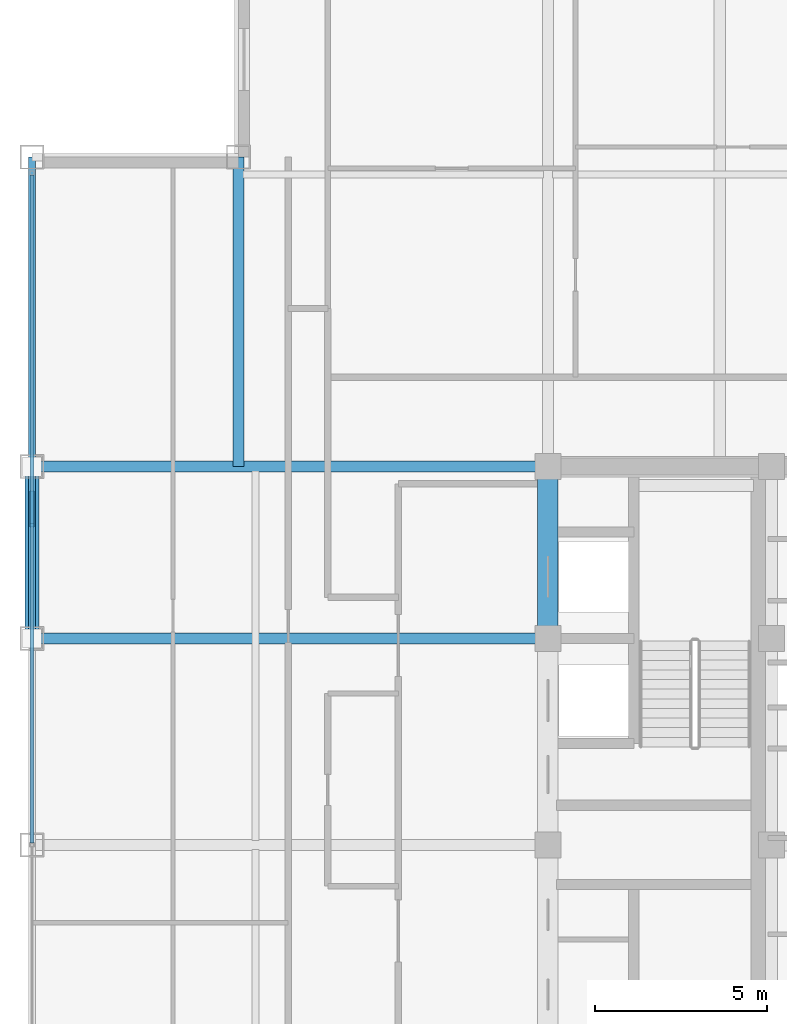
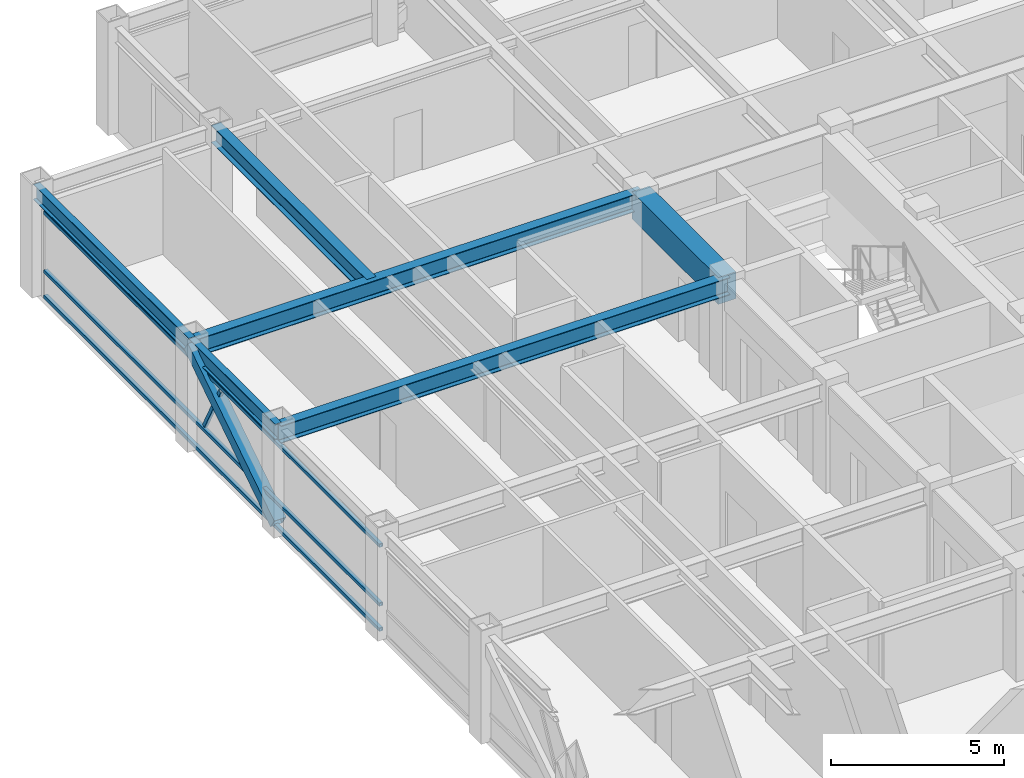
# One storey, part 13 of 29: 6 beams, 5 members, 1 element without a shape of its own.
"""IFC4 building model written with IfcOpenShell, lengths in metres."""

from ifc_helpers import new_model, si_unit, direction, frame, origin, origin_2d, place, context, subcontext, project, spatial, rectangle, hollow_rectangle, i_section, extrude, source, transform, mapped, material, material_profile, profile_set, type_object, element, aggregate, save


model = new_model("IFC4")

# Units and contexts
model_context = context("Model", 3, precision=1e-05, world=origin(), true_north=direction((0.0, 1.0)))
body_context = subcontext(model_context, "Body", "Model", "MODEL_VIEW")
ifc_project = project(units=[si_unit("LENGTHUNIT", "METRE"), si_unit("AREAUNIT", "SQUARE_METRE"), si_unit("VOLUMEUNIT", "CUBIC_METRE"), si_unit("PLANEANGLEUNIT", "RADIAN"), si_unit("MASSUNIT", "GRAM", prefix="KILO")], contexts=[model_context])

# Site, building, storey
site_placement = place(None, origin())
site = spatial("IfcSite", under=ifc_project, at=site_placement, CompositionType="ELEMENT")
building_placement = place(site_placement, origin())
building = spatial("IfcBuilding", under=site, at=building_placement, Name="Khorayat Bourse Tower", CompositionType="ELEMENT")
storey_placement = place(building_placement, frame((0.0, 0.0, 362.300048828125)))
storey = spatial("IfcBuildingStorey", under=building, at=storey_placement, Name="L86", CompositionType="ELEMENT", Elevation=362.300048828125)

# Beams
ifc_material_1 = material(Name="Concrete C60/75", Category="concrete")
ifc_material_profile_1 = material_profile(ifc_material_1, rectangle(XDim=0.60009765625, YDim=0.949951171875, at=origin_2d()), Name="RC 600x950")
ifc_profile_set_1 = profile_set([ifc_material_profile_1], Name="Concrete C60/75")
beam_type_1 = type_object("IfcBeamType", Name="BM-COUP-950", PredefinedType="BEAM", material=ifc_profile_set_1)
shared_shape_1 = source(origin(), body_context, "Body", "SweptSolid", [
    extrude(rectangle(XDim=0.60009765625, YDim=0.949951171875, at=origin_2d()), origin(), (0.0, 0.0, 1.0), 5.0),
])
beam_1_placement = place(storey_placement, frame((-11.0, 6.0, 3.264892578125), z_axis=(0.0, 1.0, 0.0), x_axis=(-1.0, 0.0, 0.0)))
element("IfcBeam", 1, at=beam_1_placement, inside=storey, type_object=beam_type_1, Name="L86 BM-COUP-950 BM-L86-CRX-04", PredefinedType="BEAM", context=body_context, shape_type="MappedRepresentation", body=[
    mapped(shared_shape_1, transform((0.0, 0.0, 0.0), scale=1.0)),
])
ifc_material_2 = material(Name="Steel ASTM A992 Grade 50", Category="steel")
ifc_material_profile_2 = material_profile(ifc_material_2, i_section(OverallWidth=0.214111328125, OverallDepth=0.549072265625, WebThickness=0.0146484375, FlangeThickness=0.023681640625, FilletRadius=0.013916015625, at=origin_2d()), Name="W530X138")
ifc_profile_set_2 = profile_set([ifc_material_profile_2], Name="Steel ASTM A992 Grade 50")
beam_type_2 = type_object("IfcBeamType", Name="BM-SPAN-530", PredefinedType="SPANDREL", material=ifc_profile_set_2)
shared_shape_2 = source(origin(), body_context, "Body", "SweptSolid", [
    extrude(i_section(OverallWidth=0.214111328125, OverallDepth=0.549072265625, WebThickness=0.0146484375, FlangeThickness=0.023681640625, FilletRadius=0.013916015625, at=origin_2d()), origin(), (0.0, 0.0, 1.0), 9.0),
])
beam_2_placement = place(storey_placement, frame((-26.0, 11.0, 3.46533203125), z_axis=(0.0, 1.0, 0.0), x_axis=(-1.0, 0.0, 0.0)))
element("IfcBeam", 2, at=beam_2_placement, inside=storey, type_object=beam_type_2, Name="L86 BM-SPAN-530 BM-L86-SPN-048", PredefinedType="SPANDREL", context=body_context, shape_type="MappedRepresentation", body=[
    mapped(shared_shape_2, transform((0.0, 0.0, 0.0), scale=1.0)),
])
shared_shape_3 = source(origin(), body_context, "Body", "SweptSolid", [
    extrude(i_section(OverallWidth=0.214111328125, OverallDepth=0.549072265625, WebThickness=0.0146484375, FlangeThickness=0.023681640625, FilletRadius=0.013916015625, at=origin_2d()), origin(), (0.0, 0.0, 1.0), 5.0),
])
beam_3_placement = place(storey_placement, frame((-26.0, 6.0, 3.46533203125), z_axis=(0.0, 1.0, 0.0), x_axis=(-1.0, 0.0, 0.0)))
element("IfcBeam", 3, at=beam_3_placement, inside=storey, type_object=beam_type_2, Name="L86 BM-SPAN-530 BM-L86-SPN-049", PredefinedType="SPANDREL", context=body_context, shape_type="MappedRepresentation", body=[
    mapped(shared_shape_3, transform((0.0, 0.0, 0.0), scale=1.0)),
])
ifc_material_profile_3 = material_profile(ifc_material_2, i_section(OverallWidth=0.324951171875, OverallDepth=0.615966796875, WebThickness=0.013916015625, FlangeThickness=0.021484375, FilletRadius=0.01611328125, at=origin_2d()), Name="W610X174")
ifc_profile_set_3 = profile_set([ifc_material_profile_3], Name="Steel ASTM A992 Grade 50")
beam_type_3 = type_object("IfcBeamType", Name="BM-GIRD-610", PredefinedType="BEAM", material=ifc_profile_set_3)
shared_shape_4 = source(origin(), body_context, "Body", "SweptSolid", [
    extrude(i_section(OverallWidth=0.324951171875, OverallDepth=0.615966796875, WebThickness=0.013916015625, FlangeThickness=0.021484375, FilletRadius=0.01611328125, at=origin_2d()), origin(), (0.0, 0.0, 1.0), 15.0),
])
for number, where, z_axis, x_axis, name in (
    (4, (-26.0, 6.0, 3.431884765625), (1.0, 0.0, 0.0), (0.0, 1.0, 0.0), "L86 BM-GIRD-610 BM-L86-RADX-073"),
    (5, (-26.0, 11.0, 3.431884765625), (1.0, 0.0, 0.0), (0.0, 1.0, 0.0), "L86 BM-GIRD-610 BM-L86-RADX-075"),
):
    element("IfcBeam", number, at=place(storey_placement, frame(where, z_axis=z_axis, x_axis=x_axis)), inside=storey, type_object=beam_type_3, Name=name, PredefinedType="BEAM", context=body_context, shape_type="MappedRepresentation", body=[
        mapped(shared_shape_4, transform((0.0, 0.0, 0.0), scale=1.0)),
    ])
shared_shape_5 = source(origin(), body_context, "Body", "SweptSolid", [
    extrude(i_section(OverallWidth=0.324951171875, OverallDepth=0.615966796875, WebThickness=0.013916015625, FlangeThickness=0.021484375, FilletRadius=0.01611328125, at=origin_2d()), origin(), (0.0, 0.0, 1.0), 9.0),
])
beam_4_placement = place(storey_placement, frame((-20.0, 11.0, 3.431884765625), z_axis=(0.0, 1.0, 0.0), x_axis=(-1.0, 0.0, 0.0)))
element("IfcBeam", 6, at=beam_4_placement, inside=storey, type_object=beam_type_3, Name="L86 BM-GIRD-610 BM-L86-CNRY-077", PredefinedType="BEAM", context=body_context, shape_type="MappedRepresentation", body=[
    mapped(shared_shape_5, transform((0.0, 0.0, 0.0), scale=1.0)),
])

# Member
ifc_material_3 = material(Name="Steel EN 10025-4 S460M", Category="steel")
ifc_material_profile_4 = material_profile(ifc_material_3, hollow_rectangle(XDim=0.39990234375, YDim=0.39990234375, WallThickness=0.02197265625, at=origin_2d()), Name="HSS 400x400x22")
ifc_profile_set_4 = profile_set([ifc_material_profile_4], Name="Steel EN 10025-4 S460M")
member_type_1 = type_object("IfcMemberType", Name="MBR-TUBE-400", PredefinedType="BRACE", material=ifc_profile_set_4)
shared_shape_6 = source(origin(), body_context, "Body", "SweptSolid", [
    extrude(hollow_rectangle(XDim=0.39990234375, YDim=0.39990234375, WallThickness=0.02197265625, at=origin_2d()), origin(), (0.0, 0.0, 1.0), 5.9580078125),
])
member_1_placement = place(storey_placement, frame((-26.0, 6.0, 0.25), z_axis=(0.0, 0.839210474455, 0.543806748364), x_axis=(-1.0, 0.0, 0.0)))
element("IfcMember", 7, at=member_1_placement, inside=storey, type_object=member_type_1, Name="L86 Perimeter Tube Brace 06", PredefinedType="BRACE", context=body_context, shape_type="MappedRepresentation", body=[
    mapped(shared_shape_6, transform((0.0, 0.0, 0.0), scale=1.0)),
])

# Curtain wall, members
ifc_material_4 = material(Name="Aluminium EN AW-6063 T6", Category="aluminium")
curtain_wall_type = type_object("IfcCurtainWallType", Name="CW-SYS-04", PredefinedType="NOTDEFINED", material=ifc_material_4)
curtain_wall_placement = place(storey_placement, origin())
curtain_wall = element("IfcCurtainWall", 8, at=curtain_wall_placement, inside=storey, type_object=curtain_wall_type, Name="L86 Curtain Wall CW-L86-W1", PredefinedType="NOTDEFINED")
ifc_material_profile_5 = material_profile(ifc_material_4, hollow_rectangle(XDim=0.1201171875, YDim=0.1201171875, WallThickness=0.0048828125, at=origin_2d()), Name="ALU 120x120x5")
ifc_profile_set_5 = profile_set([ifc_material_profile_5], Name="Aluminium EN AW-6063 T6")
member_type_2 = type_object("IfcMemberType", Name="CWM-DIAG-120", PredefinedType="MULLION", material=ifc_profile_set_5)
shared_shape_7 = source(origin(), body_context, "Body", "SweptSolid", [
    extrude(hollow_rectangle(XDim=0.1201171875, YDim=0.1201171875, WallThickness=0.0048828125, at=origin_2d()), origin(), (0.0, 0.0, 1.0), 2.0341796875),
])
member_2_placement = place(storey_placement, frame((-26.0, 10.24365234375, 1.08984375), z_axis=(0.0, -0.465696964104, 0.884944256789), x_axis=(1.0, 0.0, 0.0)))
member_2 = element("IfcMember", 9, at=member_2_placement, type_object=member_type_2, Name="CW-L86-W1 Faceted Diagonal Mullion 2", PredefinedType="MULLION", context=body_context, shape_type="MappedRepresentation", body=[
    mapped(shared_shape_7, transform((0.0, 0.0, 0.0), scale=1.0)),
])
ifc_material_profile_6 = material_profile(ifc_material_4, hollow_rectangle(XDim=0.1201171875, YDim=0.1201171875, WallThickness=0.0048828125, at=origin_2d()), Name="ALU 120x120x5")
ifc_profile_set_6 = profile_set([ifc_material_profile_6], Name="Aluminium EN AW-6063 T6")
member_type_3 = type_object("IfcMemberType", Name="CWT-HORZ-120", PredefinedType="USERDEFINED", material=ifc_profile_set_6)
shared_shape_8 = source(origin(), body_context, "Body", "SweptSolid", [
    extrude(hollow_rectangle(XDim=0.1201171875, YDim=0.1201171875, WallThickness=0.0048828125, at=origin_2d()), origin(), (0.0, 0.0, 1.0), 19.419921875),
])
member_3_placement = place(storey_placement, frame((-26.0, 0.06005859375, 0.06005859375), z_axis=(0.0, 1.0, 0.0), x_axis=(-1.0, 0.0, 0.0)))
member_3 = element("IfcMember", 10, at=member_3_placement, type_object=member_type_3, Name="CW-L86-W1 Horizontal Transom 2-1", ObjectType="TRANSOM", PredefinedType="USERDEFINED", context=body_context, shape_type="MappedRepresentation", body=[
    mapped(shared_shape_8, transform((0.0, 0.0, 0.0), scale=1.0)),
])
member_4_placement = place(storey_placement, frame((-26.0, 0.06005859375, 0.949951171875), z_axis=(0.0, 1.0, 0.0), x_axis=(-1.0, 0.0, 0.0)))
member_4 = element("IfcMember", 11, at=member_4_placement, type_object=member_type_3, Name="CW-L86-W1 Horizontal Transom 2-2", ObjectType="TRANSOM", PredefinedType="USERDEFINED", context=body_context, shape_type="MappedRepresentation", body=[
    mapped(shared_shape_8, transform((0.0, 0.0, 0.0), scale=1.0)),
])
member_5_placement = place(storey_placement, frame((-26.0, 0.06005859375, 3.030029296875), z_axis=(0.0, 1.0, 0.0), x_axis=(-1.0, 0.0, 0.0)))
member_5 = element("IfcMember", 12, at=member_5_placement, type_object=member_type_3, Name="CW-L86-W1 Horizontal Transom 2-3", ObjectType="TRANSOM", PredefinedType="USERDEFINED", context=body_context, shape_type="MappedRepresentation", body=[
    mapped(shared_shape_8, transform((0.0, 0.0, 0.0), scale=1.0)),
])
aggregate(curtain_wall, [member_3, member_4, member_5, member_2])

save(model, "model.ifc")
